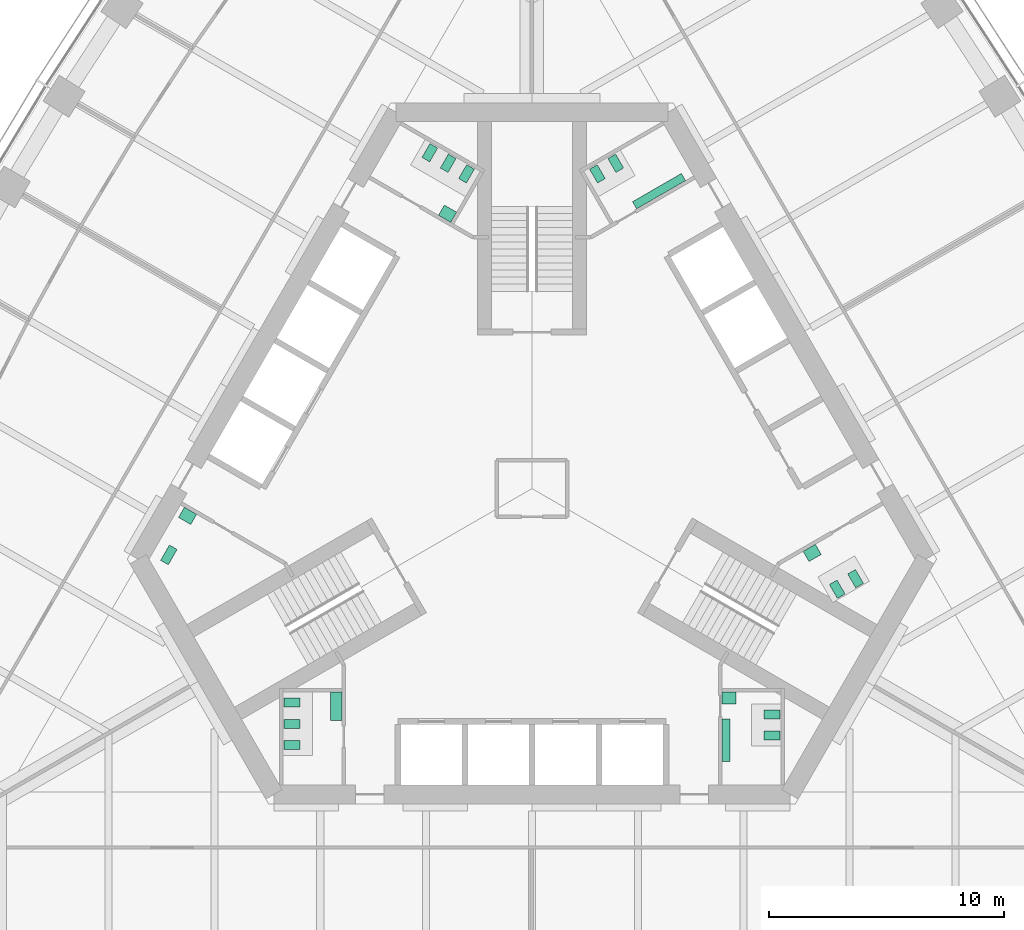
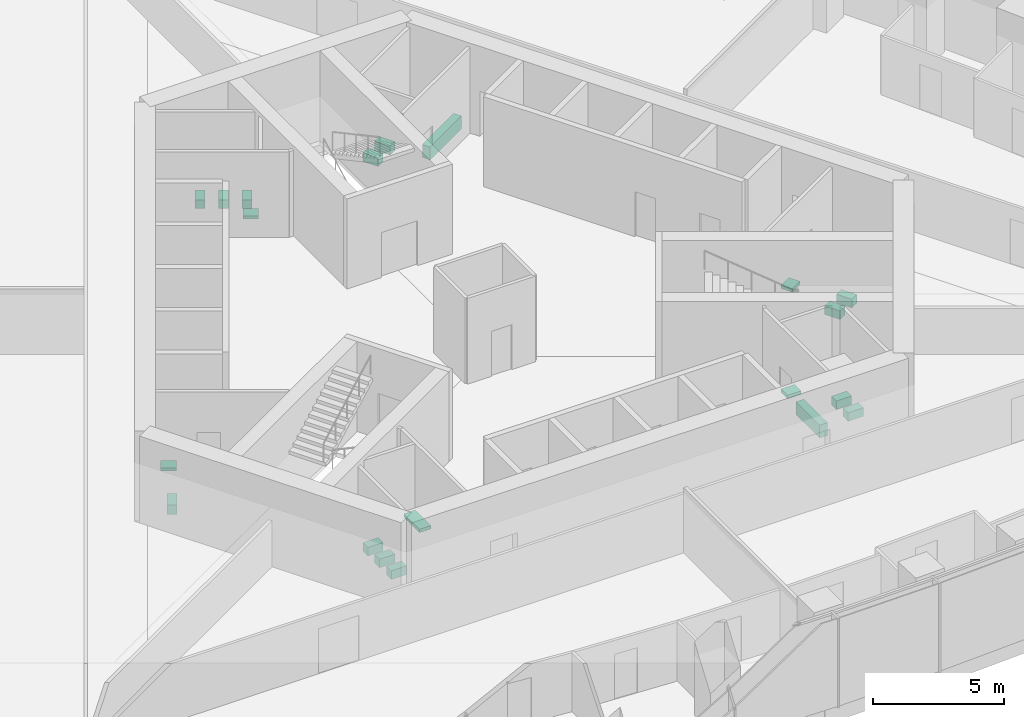
# One storey, part 18 of 19: 20 sanitary terminals.
"""IFC4 building model written with IfcOpenShell, lengths in metres."""

from ifc_helpers import new_model, si_unit, direction, frame, origin, place, context, subcontext, project, spatial, polyline, outline, extrude, material, type_object, element, save


model = new_model("IFC4")

# Units and contexts
model_context = context("Model", 3, precision=1e-05, world=origin(), true_north=direction((0.0, 1.0)))
body_context = subcontext(model_context, "Body", "Model", "MODEL_VIEW")
ifc_project = project(units=[si_unit("LENGTHUNIT", "METRE"), si_unit("AREAUNIT", "SQUARE_METRE"), si_unit("VOLUMEUNIT", "CUBIC_METRE"), si_unit("PLANEANGLEUNIT", "RADIAN"), si_unit("MASSUNIT", "GRAM", prefix="KILO")], contexts=[model_context])

# Site, building, storey
site_placement = place(None, origin())
site = spatial("IfcSite", under=ifc_project, at=site_placement, CompositionType="ELEMENT")
building_placement = place(site_placement, origin())
building = spatial("IfcBuilding", under=site, at=building_placement, Name="Trefoil Bronze Tower", CompositionType="ELEMENT")
storey_placement = place(building_placement, frame((0.0, 0.0, 128.300048828125)))
storey = spatial("IfcBuildingStorey", under=building, at=storey_placement, Name="L29", CompositionType="ELEMENT", Elevation=128.300048828125)

# Sanitary terminals
ifc_material_1 = material(Name="Vitreous china", Category="ceramic")
sanitary_terminal_type_1 = type_object("IfcSanitaryTerminalType", Name="Accessible WC pan", PredefinedType="TOILETPAN", material=ifc_material_1)
sanitary_terminal_1_placement = place(storey_placement, origin())
element("IfcSanitaryTerminal", 1, at=sanitary_terminal_1_placement, inside=storey, type_object=sanitary_terminal_type_1, Name="WC pan 1 Accessible WC L29", PredefinedType="TOILETPAN", context=body_context, shape_type="SweptSolid", body=[
    extrude(outline(polyline([(-15.085693359375, -2.589111328125), (-15.460693359375, -3.238525390625), (-15.789794921875, -3.048583984375), (-15.414794921875, -2.399169921875), (-15.085693359375, -2.589111328125)])), origin(), (0.0, 0.0, 1.0), 0.449951171875),
])
ifc_material_2 = material(Name="Vitreous china", Category="ceramic")
sanitary_terminal_type_2 = type_object("IfcSanitaryTerminalType", Name="Accessible basin", PredefinedType="WASHHANDBASIN", material=ifc_material_2)
sanitary_terminal_2_placement = place(storey_placement, frame((0.0, 0.0, 0.64990234375)))
element("IfcSanitaryTerminal", 2, at=sanitary_terminal_2_placement, inside=storey, type_object=sanitary_terminal_type_2, Name="Wash basin Accessible WC L29", PredefinedType="WASHHANDBASIN", context=body_context, shape_type="SweptSolid", body=[
    extrude(outline(polyline([(-14.256591796875, -1.09326171875), (-14.506591796875, -1.526123046875), (-15.026123046875, -1.22607421875), (-14.776123046875, -0.793212890625), (-14.256591796875, -1.09326171875)])), origin(), (0.0, 0.0, 1.0), 0.150146484375),
])
ifc_material_3 = material(Name="Vitreous china", Category="ceramic")
sanitary_terminal_type_3 = type_object("IfcSanitaryTerminalType", Name="Urinal range 3 urinals", PredefinedType="URINAL", material=ifc_material_3)
sanitary_terminal_3_placement = place(storey_placement, frame((0.0, 0.0, 0.39990234375)))
element("IfcSanitaryTerminal", 3, at=sanitary_terminal_3_placement, inside=storey, type_object=sanitary_terminal_type_3, Name="Urinal range WC (men) L29", PredefinedType="URINAL", context=body_context, shape_type="SweptSolid", body=[
    extrude(outline(polyline([(8.074951171875, -9.800048828125), (8.425048828125, -9.800048828125), (8.425048828125, -11.60009765625), (8.074951171875, -11.60009765625), (8.074951171875, -9.800048828125)])), origin(), (0.0, 0.0, 1.0), 0.60009765625),
])
ifc_material_4 = material(Name="Vitreous china", Category="ceramic")
sanitary_terminal_type_4 = type_object("IfcSanitaryTerminalType", Name="Urinal range 4 urinals", PredefinedType="URINAL", material=ifc_material_4)
sanitary_terminal_4_placement = place(storey_placement, frame((0.0, 0.0, 0.39990234375)))
element("IfcSanitaryTerminal", 4, at=sanitary_terminal_4_placement, inside=storey, type_object=sanitary_terminal_type_4, Name="Urinal range WC (men) L29", PredefinedType="URINAL", context=body_context, shape_type="SweptSolid", body=[
    extrude(outline(polyline([(4.449462890625, 11.89306640625), (4.274658203125, 12.1962890625), (6.35302734375, 13.396240234375), (6.528076171875, 13.09326171875), (4.449462890625, 11.89306640625)])), origin(), (0.0, 0.0, 1.0), 0.60009765625),
])
ifc_material_5 = material(Name="Solid surface vanity", Category="plastic")
sanitary_terminal_type_5 = type_object("IfcSanitaryTerminalType", Name="Vanity unit 1 basins", PredefinedType="WASHHANDBASIN", material=ifc_material_5)
sanitary_terminal_5_placement = place(storey_placement, frame((0.0, 0.0, 0.75)))
element("IfcSanitaryTerminal", 5, at=sanitary_terminal_5_placement, inside=storey, type_object=sanitary_terminal_type_5, Name="Vanity unit WC (men) L29", PredefinedType="WASHHANDBASIN", context=body_context, shape_type="SweptSolid", body=[
    extrude(outline(polyline([(8.074951171875, -8.64990234375), (8.675048828125, -8.64990234375), (8.675048828125, -9.14990234375), (8.074951171875, -9.14990234375), (8.074951171875, -8.64990234375)])), origin(), (0.0, 0.0, 1.0), 0.14990234375),
])
sanitary_terminal_6_placement = place(storey_placement, frame((0.0, 0.0, 0.75)))
element("IfcSanitaryTerminal", 6, at=sanitary_terminal_6_placement, inside=storey, type_object=sanitary_terminal_type_5, Name="Vanity unit WC (women) L29", PredefinedType="WASHHANDBASIN", context=body_context, shape_type="SweptSolid", body=[
    extrude(outline(polyline([(11.528564453125, -2.668212890625), (11.778564453125, -3.10107421875), (12.29833984375, -2.80126953125), (12.04833984375, -2.3681640625), (11.528564453125, -2.668212890625)])), origin(), (0.0, 0.0, 1.0), 0.14990234375),
])
sanitary_terminal_7_placement = place(storey_placement, frame((0.0, 0.0, 0.75)))
element("IfcSanitaryTerminal", 7, at=sanitary_terminal_7_placement, inside=storey, type_object=sanitary_terminal_type_5, Name="Vanity unit WC (women) L29", PredefinedType="WASHHANDBASIN", context=body_context, shape_type="SweptSolid", body=[
    extrude(outline(polyline([(-3.45361328125, 11.318115234375), (-3.20361328125, 11.751220703125), (-3.72314453125, 12.05126953125), (-3.97314453125, 11.6181640625), (-3.45361328125, 11.318115234375)])), origin(), (0.0, 0.0, 1.0), 0.14990234375),
])
ifc_material_6 = material(Name="Solid surface vanity", Category="plastic")
sanitary_terminal_type_6 = type_object("IfcSanitaryTerminalType", Name="Vanity unit 2 basins", PredefinedType="WASHHANDBASIN", material=ifc_material_6)
sanitary_terminal_8_placement = place(storey_placement, frame((0.0, 0.0, 0.75)))
element("IfcSanitaryTerminal", 8, at=sanitary_terminal_8_placement, inside=storey, type_object=sanitary_terminal_type_6, Name="Vanity unit WC (women) L29", PredefinedType="WASHHANDBASIN", context=body_context, shape_type="SweptSolid", body=[
    extrude(outline(polyline([(-8.074951171875, -8.64990234375), (-8.574951171875, -8.64990234375), (-8.574951171875, -9.85009765625), (-8.074951171875, -9.85009765625), (-8.074951171875, -8.64990234375)])), origin(), (0.0, 0.0, 1.0), 0.14990234375),
])
ifc_material_7 = material(Name="Vitreous china", Category="ceramic")
sanitary_terminal_type_7 = type_object("IfcSanitaryTerminalType", Name="WC pan", PredefinedType="TOILETPAN", material=ifc_material_7)
sanitary_terminal_9_placement = place(storey_placement, origin())
element("IfcSanitaryTerminal", 9, at=sanitary_terminal_9_placement, inside=storey, type_object=sanitary_terminal_type_7, Name="WC pan 1 WC (men) L29", PredefinedType="TOILETPAN", context=body_context, shape_type="SweptSolid", body=[
    extrude(outline(polyline([(9.85498046875, -9.409912109375), (10.534912109375, -9.409912109375), (10.534912109375, -9.7900390625), (9.85498046875, -9.7900390625), (9.85498046875, -9.409912109375)])), origin(), (0.0, 0.0, 1.0), 0.39990234375),
])
sanitary_terminal_10_placement = place(storey_placement, origin())
element("IfcSanitaryTerminal", 10, at=sanitary_terminal_10_placement, inside=storey, type_object=sanitary_terminal_type_7, Name="WC pan 2 WC (men) L29", PredefinedType="TOILETPAN", context=body_context, shape_type="SweptSolid", body=[
    extrude(outline(polyline([(9.85498046875, -10.31005859375), (10.534912109375, -10.31005859375), (10.534912109375, -10.68994140625), (9.85498046875, -10.68994140625), (9.85498046875, -10.31005859375)])), origin(), (0.0, 0.0, 1.0), 0.39990234375),
])
sanitary_terminal_11_placement = place(storey_placement, origin())
element("IfcSanitaryTerminal", 11, at=sanitary_terminal_11_placement, inside=storey, type_object=sanitary_terminal_type_7, Name="WC pan 1 WC (women) L29", PredefinedType="TOILETPAN", context=body_context, shape_type="SweptSolid", body=[
    extrude(outline(polyline([(12.643798828125, -4.07958984375), (12.98388671875, -4.66845703125), (13.31298828125, -4.478515625), (12.972900390625, -3.8896484375), (12.643798828125, -4.07958984375)])), origin(), (0.0, 0.0, 1.0), 0.39990234375),
])
sanitary_terminal_12_placement = place(storey_placement, origin())
element("IfcSanitaryTerminal", 12, at=sanitary_terminal_12_placement, inside=storey, type_object=sanitary_terminal_type_7, Name="WC pan 2 WC (women) L29", PredefinedType="TOILETPAN", context=body_context, shape_type="SweptSolid", body=[
    extrude(outline(polyline([(13.423095703125, -3.629638671875), (13.76318359375, -4.218505859375), (14.09228515625, -4.028564453125), (13.752197265625, -3.439697265625), (13.423095703125, -3.629638671875)])), origin(), (0.0, 0.0, 1.0), 0.39990234375),
])
sanitary_terminal_13_placement = place(storey_placement, origin())
element("IfcSanitaryTerminal", 13, at=sanitary_terminal_13_placement, inside=storey, type_object=sanitary_terminal_type_7, Name="WC pan 1 WC (men) L29", PredefinedType="TOILETPAN", context=body_context, shape_type="SweptSolid", body=[
    extrude(outline(polyline([(2.788818359375, 12.98974609375), (2.44873046875, 13.57861328125), (2.77783203125, 13.7685546875), (3.117919921875, 13.1796875), (2.788818359375, 12.98974609375)])), origin(), (0.0, 0.0, 1.0), 0.39990234375),
])
sanitary_terminal_14_placement = place(storey_placement, origin())
element("IfcSanitaryTerminal", 14, at=sanitary_terminal_14_placement, inside=storey, type_object=sanitary_terminal_type_7, Name="WC pan 2 WC (men) L29", PredefinedType="TOILETPAN", context=body_context, shape_type="SweptSolid", body=[
    extrude(outline(polyline([(3.568115234375, 13.439697265625), (3.228271484375, 14.028564453125), (3.557373046875, 14.218505859375), (3.897216796875, 13.629638671875), (3.568115234375, 13.439697265625)])), origin(), (0.0, 0.0, 1.0), 0.39990234375),
])
sanitary_terminal_15_placement = place(storey_placement, origin())
element("IfcSanitaryTerminal", 15, at=sanitary_terminal_15_placement, inside=storey, type_object=sanitary_terminal_type_7, Name="WC pan 1 WC (women) L29", PredefinedType="TOILETPAN", context=body_context, shape_type="SweptSolid", body=[
    extrude(outline(polyline([(-2.788818359375, 12.98974609375), (-2.44873046875, 13.57861328125), (-2.77783203125, 13.7685546875), (-3.117919921875, 13.1796875), (-2.788818359375, 12.98974609375)])), origin(), (0.0, 0.0, 1.0), 0.39990234375),
])
sanitary_terminal_16_placement = place(storey_placement, origin())
element("IfcSanitaryTerminal", 16, at=sanitary_terminal_16_placement, inside=storey, type_object=sanitary_terminal_type_7, Name="WC pan 2 WC (women) L29", PredefinedType="TOILETPAN", context=body_context, shape_type="SweptSolid", body=[
    extrude(outline(polyline([(-3.568115234375, 13.439697265625), (-3.228271484375, 14.028564453125), (-3.557373046875, 14.218505859375), (-3.897216796875, 13.629638671875), (-3.568115234375, 13.439697265625)])), origin(), (0.0, 0.0, 1.0), 0.39990234375),
])
sanitary_terminal_17_placement = place(storey_placement, origin())
element("IfcSanitaryTerminal", 17, at=sanitary_terminal_17_placement, inside=storey, type_object=sanitary_terminal_type_7, Name="WC pan 3 WC (women) L29", PredefinedType="TOILETPAN", context=body_context, shape_type="SweptSolid", body=[
    extrude(outline(polyline([(-4.34765625, 13.8896484375), (-4.007568359375, 14.478515625), (-4.336669921875, 14.66845703125), (-4.6767578125, 14.07958984375), (-4.34765625, 13.8896484375)])), origin(), (0.0, 0.0, 1.0), 0.39990234375),
])
sanitary_terminal_18_placement = place(storey_placement, origin())
element("IfcSanitaryTerminal", 18, at=sanitary_terminal_18_placement, inside=storey, type_object=sanitary_terminal_type_7, Name="WC pan 1 WC (women) L29", PredefinedType="TOILETPAN", context=body_context, shape_type="SweptSolid", body=[
    extrude(outline(polyline([(-9.85498046875, -8.909912109375), (-10.534912109375, -8.909912109375), (-10.534912109375, -9.2900390625), (-9.85498046875, -9.2900390625), (-9.85498046875, -8.909912109375)])), origin(), (0.0, 0.0, 1.0), 0.39990234375),
])
sanitary_terminal_19_placement = place(storey_placement, origin())
element("IfcSanitaryTerminal", 19, at=sanitary_terminal_19_placement, inside=storey, type_object=sanitary_terminal_type_7, Name="WC pan 2 WC (women) L29", PredefinedType="TOILETPAN", context=body_context, shape_type="SweptSolid", body=[
    extrude(outline(polyline([(-9.85498046875, -9.81005859375), (-10.534912109375, -9.81005859375), (-10.534912109375, -10.18994140625), (-9.85498046875, -10.18994140625), (-9.85498046875, -9.81005859375)])), origin(), (0.0, 0.0, 1.0), 0.39990234375),
])
sanitary_terminal_20_placement = place(storey_placement, origin())
element("IfcSanitaryTerminal", 20, at=sanitary_terminal_20_placement, inside=storey, type_object=sanitary_terminal_type_7, Name="WC pan 3 WC (women) L29", PredefinedType="TOILETPAN", context=body_context, shape_type="SweptSolid", body=[
    extrude(outline(polyline([(-9.85498046875, -10.7099609375), (-10.534912109375, -10.7099609375), (-10.534912109375, -11.090087890625), (-9.85498046875, -11.090087890625), (-9.85498046875, -10.7099609375)])), origin(), (0.0, 0.0, 1.0), 0.39990234375),
])

save(model, "model.ifc")
